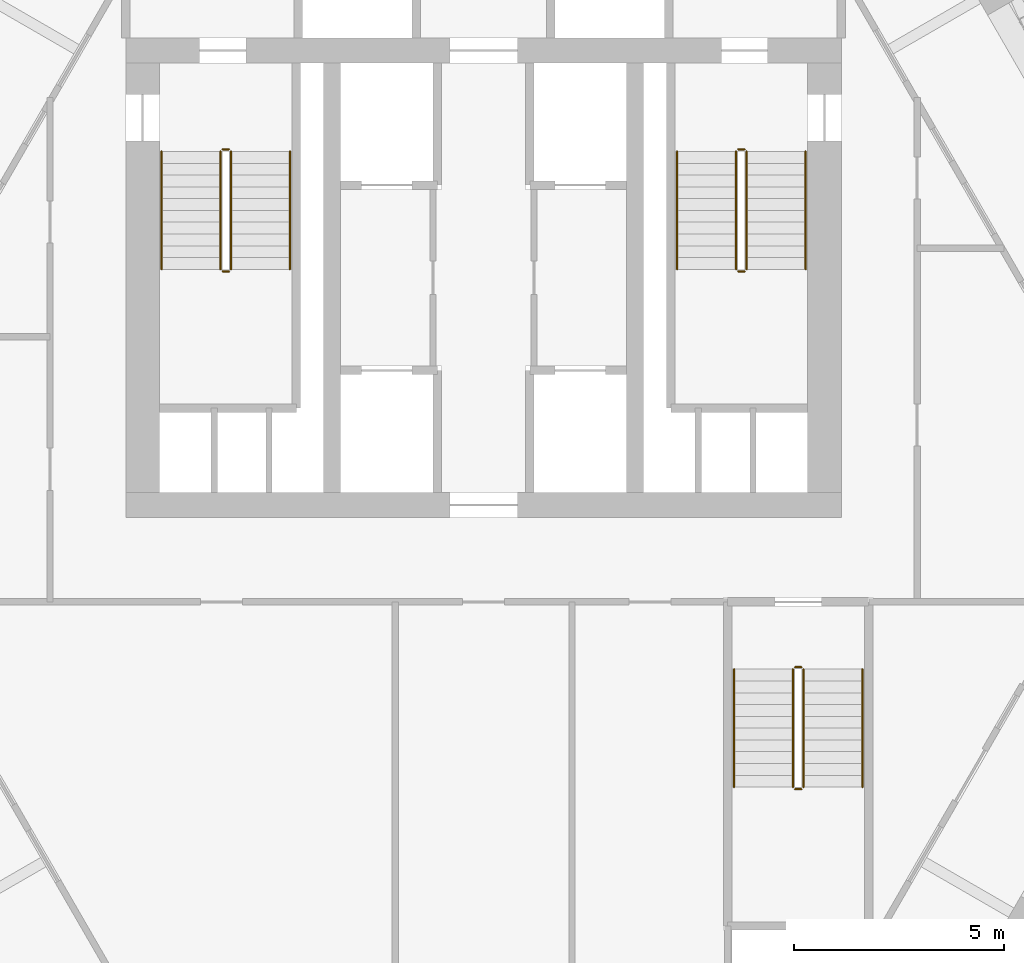
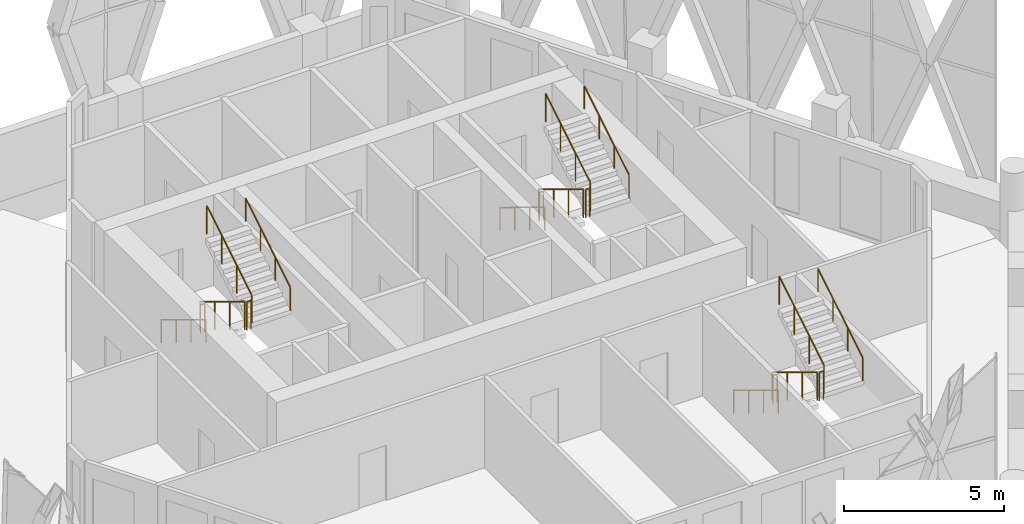
# One storey, part 21 of 21: 18 railings.
"""IFC4 building model written with IfcOpenShell, lengths in metres."""

from ifc_helpers import new_model, si_unit, direction, frame, origin, origin_2d, place, context, subcontext, project, spatial, circle, extrude, material, type_object, element, save


model = new_model("IFC4")

# Units and contexts
model_context = context("Model", 3, precision=1e-05, world=origin(), true_north=direction((0.0, 1.0)))
body_context = subcontext(model_context, "Body", "Model", "MODEL_VIEW")
ifc_project = project(units=[si_unit("LENGTHUNIT", "METRE"), si_unit("AREAUNIT", "SQUARE_METRE"), si_unit("VOLUMEUNIT", "CUBIC_METRE"), si_unit("PLANEANGLEUNIT", "RADIAN"), si_unit("MASSUNIT", "GRAM", prefix="KILO")], contexts=[model_context])

# Site, building, storey
site_placement = place(None, origin())
site = spatial("IfcSite", under=ifc_project, at=site_placement, CompositionType="ELEMENT")
building_placement = place(site_placement, origin())
building = spatial("IfcBuilding", under=site, at=building_placement, Name="Ostrander Bayou Hotel Tower", CompositionType="ELEMENT")
storey_placement = place(building_placement, frame((0.0, 0.0, 256.25)))
storey = spatial("IfcBuildingStorey", under=building, at=storey_placement, Name="L63", CompositionType="ELEMENT", Elevation=256.25)

# Railings
ifc_material_1 = material(Name="Steel ASTM A500 Gr C", Category="steel")
railing_type_1 = type_object("IfcRailingType", Name="GR1 stair guard 1100 mm steel", PredefinedType="GUARDRAIL", material=ifc_material_1)
railing_1_placement = place(storey_placement, frame((-6.25, 7.0, 0.17041015625)))
element("IfcRailing", 1, at=railing_1_placement, inside=storey, type_object=railing_type_1, Name="L63 STA stair guard 1", PredefinedType="GUARDRAIL", context=body_context, shape_type="SweptSolid", body=[
    extrude(circle(Radius=0.02392578125, at=origin_2d()), frame((0.0, 0.0, 1.076171875), z_axis=(0.0, -0.854169791009, 0.51999420009), x_axis=(1.0, 0.0, 0.0)), (0.0, 0.0, 1.0), 3.278076171875),
    extrude(circle(Radius=0.02099609375, at=origin_2d()), origin(), (0.0, 0.0, 1.0), 1.052001953125),
    extrude(circle(Radius=0.02099609375, at=origin_2d()), frame((0.0, -0.933349609375, 0.568115234375)), (0.0, 0.0, 1.0), 1.052001953125),
    extrude(circle(Radius=0.02099609375, at=origin_2d()), frame((0.0, -1.86669921875, 1.136474609375)), (0.0, 0.0, 1.0), 1.052001953125),
    extrude(circle(Radius=0.02099609375, at=origin_2d()), frame((0.0, -2.800048828125, 1.70458984375)), (0.0, 0.0, 1.0), 1.052001953125),
])
railing_2_placement = place(storey_placement, frame((-6.199951171875, 4.14990234375, 1.875)))
element("IfcRailing", 2, at=railing_2_placement, inside=storey, type_object=railing_type_1, Name="L63 STA stair guard 2", PredefinedType="GUARDRAIL", context=body_context, shape_type="SweptSolid", body=[
    extrude(circle(Radius=0.02392578125, at=origin_2d()), frame((0.0, 0.0, 1.076171875), z_axis=(1.0, 0.0, 0.0), x_axis=(0.0, 1.0, 0.0)), (0.0, 0.0, 1.0), 0.14990234375),
    extrude(circle(Radius=0.02099609375, at=origin_2d()), origin(), (0.0, 0.0, 1.0), 1.052001953125),
    extrude(circle(Radius=0.02099609375, at=origin_2d()), frame((0.14990234375, 0.0, 0.0)), (0.0, 0.0, 1.0), 1.052001953125),
])
railing_3_placement = place(storey_placement, frame((-6.0, 4.199951171875, 2.04541015625)))
element("IfcRailing", 3, at=railing_3_placement, inside=storey, type_object=railing_type_1, Name="L63 STA stair guard 3", PredefinedType="GUARDRAIL", context=body_context, shape_type="SweptSolid", body=[
    extrude(circle(Radius=0.02392578125, at=origin_2d()), frame((0.0, 0.0, 1.076171875), z_axis=(0.0, 0.854169791009, 0.51999420009), x_axis=(-1.0, 0.0, 0.0)), (0.0, 0.0, 1.0), 3.278076171875),
    extrude(circle(Radius=0.02099609375, at=origin_2d()), origin(), (0.0, 0.0, 1.0), 1.052001953125),
    extrude(circle(Radius=0.02099609375, at=origin_2d()), frame((0.0, 0.933349609375, 0.568115234375)), (0.0, 0.0, 1.0), 1.052001953125),
    extrude(circle(Radius=0.02099609375, at=origin_2d()), frame((0.0, 1.86669921875, 1.136474609375)), (0.0, 0.0, 1.0), 1.052001953125),
    extrude(circle(Radius=0.02099609375, at=origin_2d()), frame((0.0, 2.800048828125, 1.70458984375)), (0.0, 0.0, 1.0), 1.052001953125),
])
railing_4_placement = place(storey_placement, frame((-6.199951171875, 7.050048828125, 0.0)))
element("IfcRailing", 4, at=railing_4_placement, inside=storey, type_object=railing_type_1, Name="L63 STA stair guard 4", PredefinedType="GUARDRAIL", context=body_context, shape_type="SweptSolid", body=[
    extrude(circle(Radius=0.02392578125, at=origin_2d()), frame((0.0, 0.0, 1.076171875), z_axis=(1.0, 0.0, 0.0), x_axis=(0.0, 1.0, 0.0)), (0.0, 0.0, 1.0), 0.14990234375),
    extrude(circle(Radius=0.02099609375, at=origin_2d()), origin(), (0.0, 0.0, 1.0), 1.052001953125),
    extrude(circle(Radius=0.02099609375, at=origin_2d()), frame((0.14990234375, 0.0, 0.0)), (0.0, 0.0, 1.0), 1.052001953125),
])
railing_5_placement = place(storey_placement, frame((6.0, 7.0, 0.17041015625)))
element("IfcRailing", 5, at=railing_5_placement, inside=storey, type_object=railing_type_1, Name="L63 STB stair guard 1", PredefinedType="GUARDRAIL", context=body_context, shape_type="SweptSolid", body=[
    extrude(circle(Radius=0.02392578125, at=origin_2d()), frame((0.0, 0.0, 1.076171875), z_axis=(0.0, -0.854169791009, 0.51999420009), x_axis=(1.0, 0.0, 0.0)), (0.0, 0.0, 1.0), 3.278076171875),
    extrude(circle(Radius=0.02099609375, at=origin_2d()), origin(), (0.0, 0.0, 1.0), 1.052001953125),
    extrude(circle(Radius=0.02099609375, at=origin_2d()), frame((0.0, -0.933349609375, 0.568115234375)), (0.0, 0.0, 1.0), 1.052001953125),
    extrude(circle(Radius=0.02099609375, at=origin_2d()), frame((0.0, -1.86669921875, 1.136474609375)), (0.0, 0.0, 1.0), 1.052001953125),
    extrude(circle(Radius=0.02099609375, at=origin_2d()), frame((0.0, -2.800048828125, 1.70458984375)), (0.0, 0.0, 1.0), 1.052001953125),
])
railing_6_placement = place(storey_placement, frame((6.050048828125, 4.14990234375, 1.875)))
element("IfcRailing", 6, at=railing_6_placement, inside=storey, type_object=railing_type_1, Name="L63 STB stair guard 2", PredefinedType="GUARDRAIL", context=body_context, shape_type="SweptSolid", body=[
    extrude(circle(Radius=0.02392578125, at=origin_2d()), frame((0.0, 0.0, 1.076171875), z_axis=(1.0, 0.0, 0.0), x_axis=(0.0, 1.0, 0.0)), (0.0, 0.0, 1.0), 0.14990234375),
    extrude(circle(Radius=0.02099609375, at=origin_2d()), origin(), (0.0, 0.0, 1.0), 1.052001953125),
    extrude(circle(Radius=0.02099609375, at=origin_2d()), frame((0.14990234375, 0.0, 0.0)), (0.0, 0.0, 1.0), 1.052001953125),
])
railing_7_placement = place(storey_placement, frame((6.25, 4.199951171875, 2.04541015625)))
element("IfcRailing", 7, at=railing_7_placement, inside=storey, type_object=railing_type_1, Name="L63 STB stair guard 3", PredefinedType="GUARDRAIL", context=body_context, shape_type="SweptSolid", body=[
    extrude(circle(Radius=0.02392578125, at=origin_2d()), frame((0.0, 0.0, 1.076171875), z_axis=(0.0, 0.854169791009, 0.51999420009), x_axis=(-1.0, 0.0, 0.0)), (0.0, 0.0, 1.0), 3.278076171875),
    extrude(circle(Radius=0.02099609375, at=origin_2d()), origin(), (0.0, 0.0, 1.0), 1.052001953125),
    extrude(circle(Radius=0.02099609375, at=origin_2d()), frame((0.0, 0.933349609375, 0.568115234375)), (0.0, 0.0, 1.0), 1.052001953125),
    extrude(circle(Radius=0.02099609375, at=origin_2d()), frame((0.0, 1.86669921875, 1.136474609375)), (0.0, 0.0, 1.0), 1.052001953125),
    extrude(circle(Radius=0.02099609375, at=origin_2d()), frame((0.0, 2.800048828125, 1.70458984375)), (0.0, 0.0, 1.0), 1.052001953125),
])
railing_8_placement = place(storey_placement, frame((6.050048828125, 7.050048828125, 0.0)))
element("IfcRailing", 8, at=railing_8_placement, inside=storey, type_object=railing_type_1, Name="L63 STB stair guard 4", PredefinedType="GUARDRAIL", context=body_context, shape_type="SweptSolid", body=[
    extrude(circle(Radius=0.02392578125, at=origin_2d()), frame((0.0, 0.0, 1.076171875), z_axis=(1.0, 0.0, 0.0), x_axis=(0.0, 1.0, 0.0)), (0.0, 0.0, 1.0), 0.14990234375),
    extrude(circle(Radius=0.02099609375, at=origin_2d()), origin(), (0.0, 0.0, 1.0), 1.052001953125),
    extrude(circle(Radius=0.02099609375, at=origin_2d()), frame((0.14990234375, 0.0, 0.0)), (0.0, 0.0, 1.0), 1.052001953125),
])
railing_9_placement = place(storey_placement, frame((7.35009765625, -5.300048828125, 0.17041015625)))
element("IfcRailing", 9, at=railing_9_placement, inside=storey, type_object=railing_type_1, Name="L63 STC stair guard 1", PredefinedType="GUARDRAIL", context=body_context, shape_type="SweptSolid", body=[
    extrude(circle(Radius=0.02392578125, at=origin_2d()), frame((0.0, 0.0, 1.076171875), z_axis=(0.0, -0.854169791009, 0.51999420009), x_axis=(1.0, 0.0, 0.0)), (0.0, 0.0, 1.0), 3.278076171875),
    extrude(circle(Radius=0.02099609375, at=origin_2d()), origin(), (0.0, 0.0, 1.0), 1.052001953125),
    extrude(circle(Radius=0.02099609375, at=origin_2d()), frame((0.0, -0.933349609375, 0.568115234375)), (0.0, 0.0, 1.0), 1.052001953125),
    extrude(circle(Radius=0.02099609375, at=origin_2d()), frame((0.0, -1.86669921875, 1.136474609375)), (0.0, 0.0, 1.0), 1.052001953125),
    extrude(circle(Radius=0.02099609375, at=origin_2d()), frame((0.0, -2.800048828125, 1.70458984375)), (0.0, 0.0, 1.0), 1.052001953125),
])
railing_10_placement = place(storey_placement, frame((7.39990234375, -8.14990234375, 1.875)))
element("IfcRailing", 10, at=railing_10_placement, inside=storey, type_object=railing_type_1, Name="L63 STC stair guard 2", PredefinedType="GUARDRAIL", context=body_context, shape_type="SweptSolid", body=[
    extrude(circle(Radius=0.02392578125, at=origin_2d()), frame((0.0, 0.0, 1.076171875), z_axis=(1.0, 0.0, 0.0), x_axis=(0.0, 1.0, 0.0)), (0.0, 0.0, 1.0), 0.150146484375),
    extrude(circle(Radius=0.02099609375, at=origin_2d()), origin(), (0.0, 0.0, 1.0), 1.052001953125),
    extrude(circle(Radius=0.02099609375, at=origin_2d()), frame((0.150146484375, 0.0, 0.0)), (0.0, 0.0, 1.0), 1.052001953125),
])
railing_11_placement = place(storey_placement, frame((7.60009765625, -8.10009765625, 2.04541015625)))
element("IfcRailing", 11, at=railing_11_placement, inside=storey, type_object=railing_type_1, Name="L63 STC stair guard 3", PredefinedType="GUARDRAIL", context=body_context, shape_type="SweptSolid", body=[
    extrude(circle(Radius=0.02392578125, at=origin_2d()), frame((0.0, 0.0, 1.076171875), z_axis=(0.0, 0.854169791009, 0.51999420009), x_axis=(-1.0, 0.0, 0.0)), (0.0, 0.0, 1.0), 3.278076171875),
    extrude(circle(Radius=0.02099609375, at=origin_2d()), origin(), (0.0, 0.0, 1.0), 1.052001953125),
    extrude(circle(Radius=0.02099609375, at=origin_2d()), frame((0.0, 0.933349609375, 0.568115234375)), (0.0, 0.0, 1.0), 1.052001953125),
    extrude(circle(Radius=0.02099609375, at=origin_2d()), frame((0.0, 1.86669921875, 1.136474609375)), (0.0, 0.0, 1.0), 1.052001953125),
    extrude(circle(Radius=0.02099609375, at=origin_2d()), frame((0.0, 2.800048828125, 1.70458984375)), (0.0, 0.0, 1.0), 1.052001953125),
])
railing_12_placement = place(storey_placement, frame((7.39990234375, -5.25, 0.0)))
element("IfcRailing", 12, at=railing_12_placement, inside=storey, type_object=railing_type_1, Name="L63 STC stair guard 4", PredefinedType="GUARDRAIL", context=body_context, shape_type="SweptSolid", body=[
    extrude(circle(Radius=0.02392578125, at=origin_2d()), frame((0.0, 0.0, 1.076171875), z_axis=(1.0, 0.0, 0.0), x_axis=(0.0, 1.0, 0.0)), (0.0, 0.0, 1.0), 0.150146484375),
    extrude(circle(Radius=0.02099609375, at=origin_2d()), origin(), (0.0, 0.0, 1.0), 1.052001953125),
    extrude(circle(Radius=0.02099609375, at=origin_2d()), frame((0.150146484375, 0.0, 0.0)), (0.0, 0.0, 1.0), 1.052001953125),
])
ifc_material_2 = material(Name="Steel ASTM A500 Gr C", Category="steel")
railing_type_2 = type_object("IfcRailingType", Name="HR1 stair handrail 900 mm steel", PredefinedType="HANDRAIL", material=ifc_material_2)
railing_13_placement = place(storey_placement, frame((-7.64990234375, 7.0, 0.17041015625)))
element("IfcRailing", 13, at=railing_13_placement, inside=storey, type_object=railing_type_2, Name="L63 STA stair handrail 1", PredefinedType="HANDRAIL", context=body_context, shape_type="SweptSolid", body=[
    extrude(circle(Radius=0.02392578125, at=origin_2d()), frame((0.0, 0.0, 0.8759765625), z_axis=(0.0, -0.854169791009, 0.51999420009), x_axis=(1.0, 0.0, 0.0)), (0.0, 0.0, 1.0), 3.278076171875),
    extrude(circle(Radius=0.02099609375, at=origin_2d()), origin(), (0.0, 0.0, 1.0), 0.851806640625),
    extrude(circle(Radius=0.02099609375, at=origin_2d()), frame((0.0, -0.933349609375, 0.568115234375)), (0.0, 0.0, 1.0), 0.851806640625),
    extrude(circle(Radius=0.02099609375, at=origin_2d()), frame((0.0, -1.86669921875, 1.136474609375)), (0.0, 0.0, 1.0), 0.851806640625),
    extrude(circle(Radius=0.02099609375, at=origin_2d()), frame((0.0, -2.800048828125, 1.70458984375)), (0.0, 0.0, 1.0), 0.851806640625),
])
railing_14_placement = place(storey_placement, frame((-4.60009765625, 4.199951171875, 2.04541015625)))
element("IfcRailing", 14, at=railing_14_placement, inside=storey, type_object=railing_type_2, Name="L63 STA stair handrail 2", PredefinedType="HANDRAIL", context=body_context, shape_type="SweptSolid", body=[
    extrude(circle(Radius=0.02392578125, at=origin_2d()), frame((0.0, 0.0, 0.8759765625), z_axis=(0.0, 0.854169791009, 0.51999420009), x_axis=(-1.0, 0.0, 0.0)), (0.0, 0.0, 1.0), 3.278076171875),
    extrude(circle(Radius=0.02099609375, at=origin_2d()), origin(), (0.0, 0.0, 1.0), 0.851806640625),
    extrude(circle(Radius=0.02099609375, at=origin_2d()), frame((0.0, 0.933349609375, 0.568115234375)), (0.0, 0.0, 1.0), 0.851806640625),
    extrude(circle(Radius=0.02099609375, at=origin_2d()), frame((0.0, 1.86669921875, 1.136474609375)), (0.0, 0.0, 1.0), 0.851806640625),
    extrude(circle(Radius=0.02099609375, at=origin_2d()), frame((0.0, 2.800048828125, 1.70458984375)), (0.0, 0.0, 1.0), 0.851806640625),
])
railing_15_placement = place(storey_placement, frame((4.60009765625, 7.0, 0.17041015625)))
element("IfcRailing", 15, at=railing_15_placement, inside=storey, type_object=railing_type_2, Name="L63 STB stair handrail 1", PredefinedType="HANDRAIL", context=body_context, shape_type="SweptSolid", body=[
    extrude(circle(Radius=0.02392578125, at=origin_2d()), frame((0.0, 0.0, 0.8759765625), z_axis=(0.0, -0.854169791009, 0.51999420009), x_axis=(1.0, 0.0, 0.0)), (0.0, 0.0, 1.0), 3.278076171875),
    extrude(circle(Radius=0.02099609375, at=origin_2d()), origin(), (0.0, 0.0, 1.0), 0.851806640625),
    extrude(circle(Radius=0.02099609375, at=origin_2d()), frame((0.0, -0.933349609375, 0.568115234375)), (0.0, 0.0, 1.0), 0.851806640625),
    extrude(circle(Radius=0.02099609375, at=origin_2d()), frame((0.0, -1.86669921875, 1.136474609375)), (0.0, 0.0, 1.0), 0.851806640625),
    extrude(circle(Radius=0.02099609375, at=origin_2d()), frame((0.0, -2.800048828125, 1.70458984375)), (0.0, 0.0, 1.0), 0.851806640625),
])
railing_16_placement = place(storey_placement, frame((7.64990234375, 4.199951171875, 2.04541015625)))
element("IfcRailing", 16, at=railing_16_placement, inside=storey, type_object=railing_type_2, Name="L63 STB stair handrail 2", PredefinedType="HANDRAIL", context=body_context, shape_type="SweptSolid", body=[
    extrude(circle(Radius=0.02392578125, at=origin_2d()), frame((0.0, 0.0, 0.8759765625), z_axis=(0.0, 0.854169791009, 0.51999420009), x_axis=(-1.0, 0.0, 0.0)), (0.0, 0.0, 1.0), 3.278076171875),
    extrude(circle(Radius=0.02099609375, at=origin_2d()), origin(), (0.0, 0.0, 1.0), 0.851806640625),
    extrude(circle(Radius=0.02099609375, at=origin_2d()), frame((0.0, 0.933349609375, 0.568115234375)), (0.0, 0.0, 1.0), 0.851806640625),
    extrude(circle(Radius=0.02099609375, at=origin_2d()), frame((0.0, 1.86669921875, 1.136474609375)), (0.0, 0.0, 1.0), 0.851806640625),
    extrude(circle(Radius=0.02099609375, at=origin_2d()), frame((0.0, 2.800048828125, 1.70458984375)), (0.0, 0.0, 1.0), 0.851806640625),
])
railing_17_placement = place(storey_placement, frame((5.949951171875, -5.300048828125, 0.17041015625)))
element("IfcRailing", 17, at=railing_17_placement, inside=storey, type_object=railing_type_2, Name="L63 STC stair handrail 1", PredefinedType="HANDRAIL", context=body_context, shape_type="SweptSolid", body=[
    extrude(circle(Radius=0.02392578125, at=origin_2d()), frame((0.0, 0.0, 0.8759765625), z_axis=(0.0, -0.854169791009, 0.51999420009), x_axis=(1.0, 0.0, 0.0)), (0.0, 0.0, 1.0), 3.278076171875),
    extrude(circle(Radius=0.02099609375, at=origin_2d()), origin(), (0.0, 0.0, 1.0), 0.851806640625),
    extrude(circle(Radius=0.02099609375, at=origin_2d()), frame((0.0, -0.933349609375, 0.568115234375)), (0.0, 0.0, 1.0), 0.851806640625),
    extrude(circle(Radius=0.02099609375, at=origin_2d()), frame((0.0, -1.86669921875, 1.136474609375)), (0.0, 0.0, 1.0), 0.851806640625),
    extrude(circle(Radius=0.02099609375, at=origin_2d()), frame((0.0, -2.800048828125, 1.70458984375)), (0.0, 0.0, 1.0), 0.851806640625),
])
railing_18_placement = place(storey_placement, frame((9.0, -8.10009765625, 2.04541015625)))
element("IfcRailing", 18, at=railing_18_placement, inside=storey, type_object=railing_type_2, Name="L63 STC stair handrail 2", PredefinedType="HANDRAIL", context=body_context, shape_type="SweptSolid", body=[
    extrude(circle(Radius=0.02392578125, at=origin_2d()), frame((0.0, 0.0, 0.8759765625), z_axis=(0.0, 0.854169791009, 0.51999420009), x_axis=(-1.0, 0.0, 0.0)), (0.0, 0.0, 1.0), 3.278076171875),
    extrude(circle(Radius=0.02099609375, at=origin_2d()), origin(), (0.0, 0.0, 1.0), 0.851806640625),
    extrude(circle(Radius=0.02099609375, at=origin_2d()), frame((0.0, 0.933349609375, 0.568115234375)), (0.0, 0.0, 1.0), 0.851806640625),
    extrude(circle(Radius=0.02099609375, at=origin_2d()), frame((0.0, 1.86669921875, 1.136474609375)), (0.0, 0.0, 1.0), 0.851806640625),
    extrude(circle(Radius=0.02099609375, at=origin_2d()), frame((0.0, 2.800048828125, 1.70458984375)), (0.0, 0.0, 1.0), 0.851806640625),
])

save(model, "model.ifc")
